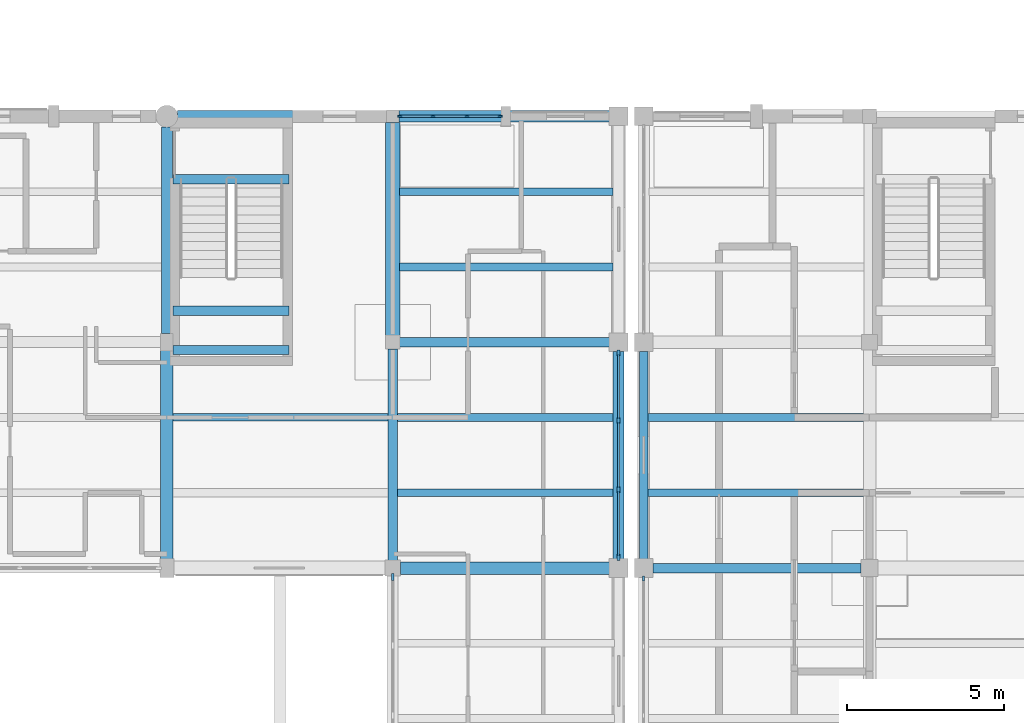
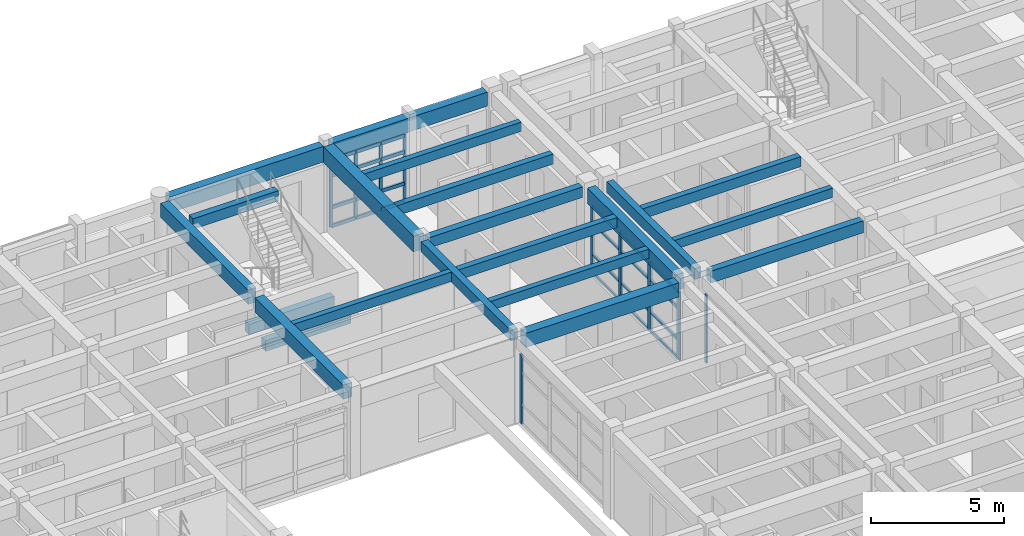
# One storey, part 41 of 110: 34 members, 21 beams, 4 elements without a shape of their own.
"""IFC4 building model written with IfcOpenShell, lengths in metres."""

from ifc_helpers import new_model, si_unit, direction, frame, origin, origin_2d, place, context, subcontext, project, spatial, rectangle, extrude, material, material_profile, profile_set, type_object, element, aggregate, save


model = new_model("IFC4")

# Units and contexts
model_context = context("Model", 3, precision=1e-05, world=origin(), true_north=direction((0.0, 1.0)))
body_context = subcontext(model_context, "Body", "Model", "MODEL_VIEW")
ifc_project = project(units=[si_unit("LENGTHUNIT", "METRE"), si_unit("AREAUNIT", "SQUARE_METRE"), si_unit("VOLUMEUNIT", "CUBIC_METRE"), si_unit("PLANEANGLEUNIT", "RADIAN"), si_unit("MASSUNIT", "GRAM", prefix="KILO")], contexts=[model_context])

# Site, building, storey
site_placement = place(None, origin())
site = spatial("IfcSite", under=ifc_project, at=site_placement, CompositionType="ELEMENT")
building_placement = place(site_placement, origin())
building = spatial("IfcBuilding", under=site, at=building_placement, Name="Steenspoor Specialist Clinic", CompositionType="ELEMENT")
storey_placement = place(building_placement, frame((0.0, 0.0, 4.800048828125)))
storey = spatial("IfcBuildingStorey", under=building, at=storey_placement, Name="L01", CompositionType="ELEMENT", Elevation=4.800048828125)

# Beams
ifc_material_1 = material(Name="Concrete C35/45", Category="concrete")
ifc_material_profile_1 = material_profile(ifc_material_1, rectangle(XDim=0.300048828125, YDim=0.47998046875, at=origin_2d()), Name="RC-BM-300X480")
ifc_profile_set_1 = profile_set([ifc_material_profile_1], Name="Concrete C35/45")
beam_type_1 = type_object("IfcBeamType", Name="BM-RC-300X480", PredefinedType="BEAM", material=ifc_profile_set_1)
for number, where, z_axis, x_axis, name in (
    (1, (103.0, 102.14990234375, 1.659912109375), (1.0, 0.0, 0.0), (0.0, 1.0, 0.0), "Stair Mid-Landing Bearer 1 ST-V4B L01"),
    (2, (103.0, 100.89990234375, 1.659912109375), (1.0, 0.0, 0.0), (0.0, 1.0, 0.0), "Stair Mid-Landing Bearer 2 ST-V4B L01"),
    (3, (103.0, 106.35009765625, 3.9599609375), (1.0, 0.0, 0.0), (0.0, 1.0, 0.0), "Stair Well Trimmer Beam ST-V4B L01"),
):
    element("IfcBeam", number, at=place(storey_placement, frame(where, z_axis=z_axis, x_axis=x_axis)), inside=storey, type_object=beam_type_1, Name=name, PredefinedType="BEAM", context=body_context, shape_type="SweptSolid", body=[
        extrude(rectangle(XDim=0.300048828125, YDim=0.47998046875, at=origin_2d()), origin(), (0.0, 0.0, 1.0), 3.699951171875),
    ])
beam_1_placement = place(storey_placement, frame((110.219970703125, 101.14990234375, 3.7099609375), z_axis=(1.0, 0.0, 0.0), x_axis=(0.0, 1.0, 0.0)))
element("IfcBeam", 4, at=beam_1_placement, inside=storey, type_object=beam_type_1, Name="BM-V4-L01-X0511", PredefinedType="BEAM", context=body_context, shape_type="SweptSolid", body=[
    extrude(rectangle(XDim=0.300048828125, YDim=0.47998046875, at=origin_2d()), origin(), (0.0, 0.0, 1.0), 6.68505859375),
])
beam_2_placement = place(storey_placement, frame((110.0, 94.195068359375, 3.7099609375), z_axis=(0.0, 1.0, 0.0), x_axis=(-1.0, 0.0, 0.0)))
element("IfcBeam", 5, at=beam_2_placement, inside=storey, type_object=beam_type_1, Name="BM-V4-L01-Y0565", PredefinedType="BEAM", context=body_context, shape_type="SweptSolid", body=[
    extrude(rectangle(XDim=0.300048828125, YDim=0.47998046875, at=origin_2d()), origin(), (0.0, 0.0, 1.0), 6.73486328125),
])
ifc_material_profile_2 = material_profile(ifc_material_1, rectangle(XDim=0.300048828125, YDim=0.550048828125, at=origin_2d()), Name="RC-BM-300X550")
ifc_profile_set_2 = profile_set([ifc_material_profile_2], Name="Concrete C35/45")
beam_type_2 = type_object("IfcBeamType", Name="BM-RC-300X550", PredefinedType="BEAM", material=ifc_profile_set_2)
beam_3_placement = place(storey_placement, frame((118.294921875, 93.949951171875, 3.675048828125), z_axis=(1.0, 0.0, 0.0), x_axis=(0.0, 1.0, 0.0)))
element("IfcBeam", 6, at=beam_3_placement, inside=storey, type_object=beam_type_2, Name="BM-V6-L01-X1498", PredefinedType="BEAM", context=body_context, shape_type="SweptSolid", body=[
    extrude(rectangle(XDim=0.300048828125, YDim=0.550048828125, at=origin_2d()), origin(), (0.0, 0.0, 1.0), 6.635009765625),
])
ifc_material_profile_3 = material_profile(ifc_material_1, rectangle(XDim=0.35009765625, YDim=0.64990234375, at=origin_2d()), Name="RC-BM-350X650")
ifc_profile_set_3 = profile_set([ifc_material_profile_3], Name="Concrete C35/45")
beam_type_3 = type_object("IfcBeamType", Name="BM-RC-350X650", PredefinedType="BEAM", material=ifc_profile_set_3)
beam_4_placement = place(storey_placement, frame((102.800048828125, 101.419921875, 3.625), z_axis=(0.0, 1.0, 0.0), x_axis=(-1.0, 0.0, 0.0)))
element("IfcBeam", 7, at=beam_4_placement, inside=storey, type_object=beam_type_3, Name="BM-V4-L01-Y0560", PredefinedType="BEAM", context=body_context, shape_type="SweptSolid", body=[
    extrude(rectangle(XDim=0.35009765625, YDim=0.64990234375, at=origin_2d()), origin(), (0.0, 0.0, 1.0), 6.5849609375),
])
ifc_material_profile_4 = material_profile(ifc_material_1, rectangle(XDim=0.39990234375, YDim=0.64990234375, at=origin_2d()), Name="RC-BM-400X650")
ifc_profile_set_4 = profile_set([ifc_material_profile_4], Name="Concrete C35/45")
beam_type_4 = type_object("IfcBeamType", Name="BM-RC-400X650", PredefinedType="BEAM", material=ifc_profile_set_4)
beam_5_placement = place(storey_placement, frame((110.2451171875, 93.949951171875, 3.625), z_axis=(1.0, 0.0, 0.0), x_axis=(0.0, 1.0, 0.0)))
element("IfcBeam", 8, at=beam_5_placement, inside=storey, type_object=beam_type_4, Name="BM-V4-L01-X0505", PredefinedType="BEAM", context=body_context, shape_type="SweptSolid", body=[
    extrude(rectangle(XDim=0.39990234375, YDim=0.64990234375, at=origin_2d()), origin(), (0.0, 0.0, 1.0), 6.659912109375),
])
beam_6_placement = place(storey_placement, frame((102.800048828125, 94.2451171875, 3.625), z_axis=(0.0, 1.0, 0.0), x_axis=(-1.0, 0.0, 0.0)))
element("IfcBeam", 9, at=beam_6_placement, inside=storey, type_object=beam_type_4, Name="BM-V4-L01-Y0559", PredefinedType="BEAM", context=body_context, shape_type="SweptSolid", body=[
    extrude(rectangle(XDim=0.39990234375, YDim=0.64990234375, at=origin_2d()), origin(), (0.0, 0.0, 1.0), 6.634765625),
])
ifc_material_profile_5 = material_profile(ifc_material_1, rectangle(XDim=0.449951171875, YDim=0.719970703125, at=origin_2d()), Name="RC-BM-450X720")
ifc_profile_set_5 = profile_set([ifc_material_profile_5], Name="Concrete C35/45")
beam_type_5 = type_object("IfcBeamType", Name="BM-RC-450X720", PredefinedType="BEAM", material=ifc_profile_set_5)
beam_7_placement = place(storey_placement, frame((110.0, 101.3701171875, 3.58984375), z_axis=(0.0, 1.0, 0.0), x_axis=(-1.0, 0.0, 0.0)))
element("IfcBeam", 10, at=beam_7_placement, inside=storey, type_object=beam_type_5, Name="BM-V4-L01-Y0566", PredefinedType="BEAM", context=body_context, shape_type="SweptSolid", body=[
    extrude(rectangle(XDim=0.449951171875, YDim=0.719970703125, at=origin_2d()), origin(), (0.0, 0.0, 1.0), 6.784912109375),
])

# Curtain wall, members
ifc_material_2 = material(Name="Thermally broken aluminium and low-emissivity glass", Category="aluminium")
curtain_wall_type_1 = type_object("IfcCurtainWallType", Name="CW-WLK-360X340", PredefinedType="USERDEFINED", material=ifc_material_2)
curtain_wall_1_placement = place(storey_placement, origin())
curtain_wall_1 = element("IfcCurtainWall", 11, at=curtain_wall_1_placement, inside=storey, type_object=curtain_wall_type_1, Name="Unitised Curtain Wall CW-V4-L01-070", ObjectType="UNITISED GLAZING", PredefinedType="USERDEFINED")
ifc_material_3 = material(Name="Thermally broken aluminium 6063-T6", Category="aluminium")
ifc_material_profile_6 = material_profile(ifc_material_3, rectangle(XDim=0.06005859375, YDim=0.135009765625, at=origin_2d()), Name="CWM-60X135")
ifc_profile_set_6 = profile_set([ifc_material_profile_6], Name="Thermally broken aluminium 6063-T6")
member_type_1 = type_object("IfcMemberType", Name="CW-MULL-60X135", PredefinedType="MULLION", material=ifc_profile_set_6)
member_1_placement = place(storey_placement, frame((110.22998046875, 108.35009765625, 0.0), z_axis=(0.0, 0.0, 1.0), x_axis=(0.0, 1.0, 0.0)))
member_1 = element("IfcMember", 12, at=member_1_placement, type_object=member_type_1, Name="CW-22 mullion 1", PredefinedType="MULLION", context=body_context, shape_type="SweptSolid", body=[
    extrude(rectangle(XDim=0.06005859375, YDim=0.135009765625, at=origin_2d()), origin(), (0.0, 0.0, 1.0), 3.1298828125),
])
member_2_placement = place(storey_placement, frame((111.283447265625, 108.35009765625, 0.0), z_axis=(0.0, 0.0, 1.0), x_axis=(0.0, 1.0, 0.0)))
member_2 = element("IfcMember", 13, at=member_2_placement, type_object=member_type_1, Name="CW-22 mullion 2", PredefinedType="MULLION", context=body_context, shape_type="SweptSolid", body=[
    extrude(rectangle(XDim=0.06005859375, YDim=0.135009765625, at=origin_2d()), origin(), (0.0, 0.0, 1.0), 3.1298828125),
])
member_3_placement = place(storey_placement, frame((112.36669921875, 108.35009765625, 0.0), z_axis=(0.0, 0.0, 1.0), x_axis=(0.0, 1.0, 0.0)))
member_3 = element("IfcMember", 14, at=member_3_placement, type_object=member_type_1, Name="CW-22 mullion 3", PredefinedType="MULLION", context=body_context, shape_type="SweptSolid", body=[
    extrude(rectangle(XDim=0.06005859375, YDim=0.135009765625, at=origin_2d()), origin(), (0.0, 0.0, 1.0), 3.1298828125),
])
member_4_placement = place(storey_placement, frame((113.419921875, 108.35009765625, 0.0), z_axis=(0.0, 0.0, 1.0), x_axis=(0.0, 1.0, 0.0)))
member_4 = element("IfcMember", 15, at=member_4_placement, type_object=member_type_1, Name="CW-22 mullion 4", PredefinedType="MULLION", context=body_context, shape_type="SweptSolid", body=[
    extrude(rectangle(XDim=0.06005859375, YDim=0.135009765625, at=origin_2d()), origin(), (0.0, 0.0, 1.0), 3.1298828125),
])

# Curtain wall, member
curtain_wall_type_2 = type_object("IfcCurtainWallType", Name="CW-TYP-660X355", PredefinedType="USERDEFINED", material=ifc_material_2)
curtain_wall_2_placement = place(storey_placement, origin())
curtain_wall_2 = element("IfcCurtainWall", 16, at=curtain_wall_2_placement, inside=storey, type_object=curtain_wall_type_2, Name="Unitised Curtain Wall CW-V6-L01-177", ObjectType="UNITISED GLAZING", PredefinedType="USERDEFINED")
ifc_material_profile_7 = material_profile(ifc_material_3, rectangle(XDim=0.06494140625, YDim=0.14990234375, at=origin_2d()), Name="CWM-65X150")
ifc_profile_set_7 = profile_set([ifc_material_profile_7], Name="Thermally broken aluminium 6063-T6")
member_type_2 = type_object("IfcMemberType", Name="CW-MULL-65X150", PredefinedType="MULLION", material=ifc_profile_set_7)
member_5_placement = place(storey_placement, frame((118.0, 93.617431640625, 0.0), z_axis=(0.0, 0.0, 1.0), x_axis=(-1.0, 0.0, 0.0)))
member_5 = element("IfcMember", 17, at=member_5_placement, type_object=member_type_2, Name="CW-09 mullion 4", PredefinedType="MULLION", context=body_context, shape_type="SweptSolid", body=[
    extrude(rectangle(XDim=0.06494140625, YDim=0.14990234375, at=origin_2d()), origin(), (0.0, 0.0, 1.0), 3.1298828125),
])
aggregate(curtain_wall_2, [member_5])

curtain_wall_type_3 = type_object("IfcCurtainWallType", Name="CW-L00-480X415", PredefinedType="USERDEFINED", material=ifc_material_2)
curtain_wall_3_placement = place(storey_placement, origin())
curtain_wall_3 = element("IfcCurtainWall", 18, at=curtain_wall_3_placement, inside=storey, type_object=curtain_wall_type_3, Name="Unitised Curtain Wall CW-V4-L01-078", ObjectType="UNITISED GLAZING", PredefinedType="USERDEFINED")
ifc_material_profile_8 = material_profile(ifc_material_3, rectangle(XDim=0.080078125, YDim=0.219970703125, at=origin_2d()), Name="CWM-80X220")
ifc_profile_set_8 = profile_set([ifc_material_profile_8], Name="Thermally broken aluminium 6063-T6")
member_type_3 = type_object("IfcMemberType", Name="CW-MULL-80X220", PredefinedType="MULLION", material=ifc_profile_set_8)
member_6_placement = place(storey_placement, frame((110.0, 93.659912109375, 0.0), z_axis=(0.0, 0.0, 1.0), x_axis=(-1.0, 0.0, 0.0)))
member_6 = element("IfcMember", 19, at=member_6_placement, type_object=member_type_3, Name="CW-06 mullion 4", PredefinedType="MULLION", context=body_context, shape_type="SweptSolid", body=[
    extrude(rectangle(XDim=0.080078125, YDim=0.219970703125, at=origin_2d()), origin(), (0.0, 0.0, 1.0), 3.1298828125),
])
aggregate(curtain_wall_3, [member_6])

# Curtain wall, members
curtain_wall_type_4 = type_object("IfcCurtainWallType", Name="CW-STR-220X355", PredefinedType="USERDEFINED", material=ifc_material_2)
curtain_wall_4_placement = place(storey_placement, origin())
curtain_wall_4 = element("IfcCurtainWall", 20, at=curtain_wall_4_placement, inside=storey, type_object=curtain_wall_type_4, Name="Unitised Curtain Wall CW-V4-L01-071", ObjectType="UNITISED GLAZING", PredefinedType="USERDEFINED")
ifc_material_profile_9 = material_profile(ifc_material_3, rectangle(XDim=0.090087890625, YDim=0.199951171875, at=origin_2d()), Name="CWM-90X200")
ifc_profile_set_9 = profile_set([ifc_material_profile_9], Name="Thermally broken aluminium 6063-T6")
member_type_4 = type_object("IfcMemberType", Name="CW-MULL-90X200", PredefinedType="MULLION", material=ifc_profile_set_9)
member_7_placement = place(storey_placement, frame((117.199951171875, 100.804931640625, 0.0), z_axis=(0.0, 0.0, 1.0), x_axis=(1.0, 0.0, 0.0)))
member_7 = element("IfcMember", 21, at=member_7_placement, type_object=member_type_4, Name="CW-23 mullion 1", PredefinedType="MULLION", context=body_context, shape_type="SweptSolid", body=[
    extrude(rectangle(XDim=0.090087890625, YDim=0.199951171875, at=origin_2d()), origin(), (0.0, 0.0, 1.0), 3.1298828125),
])
member_8_placement = place(storey_placement, frame((117.199951171875, 98.64990234375, 0.0), z_axis=(0.0, 0.0, 1.0), x_axis=(1.0, 0.0, 0.0)))
member_8 = element("IfcMember", 22, at=member_8_placement, type_object=member_type_4, Name="CW-23 mullion 2", PredefinedType="MULLION", context=body_context, shape_type="SweptSolid", body=[
    extrude(rectangle(XDim=0.090087890625, YDim=0.199951171875, at=origin_2d()), origin(), (0.0, 0.0, 1.0), 3.1298828125),
])
member_9_placement = place(storey_placement, frame((117.199951171875, 96.449951171875, 0.0), z_axis=(0.0, 0.0, 1.0), x_axis=(1.0, 0.0, 0.0)))
member_9 = element("IfcMember", 23, at=member_9_placement, type_object=member_type_4, Name="CW-23 mullion 3", PredefinedType="MULLION", context=body_context, shape_type="SweptSolid", body=[
    extrude(rectangle(XDim=0.090087890625, YDim=0.199951171875, at=origin_2d()), origin(), (0.0, 0.0, 1.0), 3.1298828125),
])
member_10_placement = place(storey_placement, frame((117.199951171875, 94.294921875, 0.0), z_axis=(0.0, 0.0, 1.0), x_axis=(1.0, 0.0, 0.0)))
member_10 = element("IfcMember", 24, at=member_10_placement, type_object=member_type_4, Name="CW-23 mullion 4", PredefinedType="MULLION", context=body_context, shape_type="SweptSolid", body=[
    extrude(rectangle(XDim=0.090087890625, YDim=0.199951171875, at=origin_2d()), origin(), (0.0, 0.0, 1.0), 3.1298828125),
])
ifc_material_profile_10 = material_profile(ifc_material_3, rectangle(XDim=0.070068359375, YDim=0.14501953125, at=origin_2d()), Name="CWT-70X145")
ifc_profile_set_10 = profile_set([ifc_material_profile_10], Name="Thermally broken aluminium 6063-T6")
member_type_5 = type_object("IfcMemberType", Name="CW-TRAN-70X145", PredefinedType="USERDEFINED", material=ifc_profile_set_10)
member_11_placement = place(storey_placement, frame((117.199951171875, 100.760009765625, 0.034912109375), z_axis=(0.0, -1.0, 0.0), x_axis=(1.0, 0.0, 0.0)))
member_11 = element("IfcMember", 25, at=member_11_placement, type_object=member_type_5, Name="CW-23 transom 1.1", ObjectType="TRANSOM", PredefinedType="USERDEFINED", context=body_context, shape_type="SweptSolid", body=[
    extrude(rectangle(XDim=0.070068359375, YDim=0.14501953125, at=origin_2d()), origin(), (0.0, 0.0, 1.0), 2.06494140625),
])
member_12_placement = place(storey_placement, frame((117.199951171875, 100.760009765625, 0.89990234375), z_axis=(0.0, -1.0, 0.0), x_axis=(1.0, 0.0, 0.0)))
member_12 = element("IfcMember", 26, at=member_12_placement, type_object=member_type_5, Name="CW-23 transom 1.2", ObjectType="TRANSOM", PredefinedType="USERDEFINED", context=body_context, shape_type="SweptSolid", body=[
    extrude(rectangle(XDim=0.070068359375, YDim=0.14501953125, at=origin_2d()), origin(), (0.0, 0.0, 1.0), 2.06494140625),
])
member_13_placement = place(storey_placement, frame((117.199951171875, 100.760009765625, 2.349853515625), z_axis=(0.0, -1.0, 0.0), x_axis=(1.0, 0.0, 0.0)))
member_13 = element("IfcMember", 27, at=member_13_placement, type_object=member_type_5, Name="CW-23 transom 1.3", ObjectType="TRANSOM", PredefinedType="USERDEFINED", context=body_context, shape_type="SweptSolid", body=[
    extrude(rectangle(XDim=0.070068359375, YDim=0.14501953125, at=origin_2d()), origin(), (0.0, 0.0, 1.0), 2.06494140625),
])
member_14_placement = place(storey_placement, frame((117.199951171875, 100.760009765625, 3.094970703125), z_axis=(0.0, -1.0, 0.0), x_axis=(1.0, 0.0, 0.0)))
member_14 = element("IfcMember", 28, at=member_14_placement, type_object=member_type_5, Name="CW-23 transom 1.4", ObjectType="TRANSOM", PredefinedType="USERDEFINED", context=body_context, shape_type="SweptSolid", body=[
    extrude(rectangle(XDim=0.070068359375, YDim=0.14501953125, at=origin_2d()), origin(), (0.0, 0.0, 1.0), 2.06494140625),
])
member_15_placement = place(storey_placement, frame((117.199951171875, 98.60498046875, 0.034912109375), z_axis=(0.0, -1.0, 0.0), x_axis=(1.0, 0.0, 0.0)))
member_15 = element("IfcMember", 29, at=member_15_placement, type_object=member_type_5, Name="CW-23 transom 2.1", ObjectType="TRANSOM", PredefinedType="USERDEFINED", context=body_context, shape_type="SweptSolid", body=[
    extrude(rectangle(XDim=0.070068359375, YDim=0.14501953125, at=origin_2d()), origin(), (0.0, 0.0, 1.0), 2.10986328125),
])
member_16_placement = place(storey_placement, frame((117.199951171875, 98.60498046875, 0.89990234375), z_axis=(0.0, -1.0, 0.0), x_axis=(1.0, 0.0, 0.0)))
member_16 = element("IfcMember", 30, at=member_16_placement, type_object=member_type_5, Name="CW-23 transom 2.2", ObjectType="TRANSOM", PredefinedType="USERDEFINED", context=body_context, shape_type="SweptSolid", body=[
    extrude(rectangle(XDim=0.070068359375, YDim=0.14501953125, at=origin_2d()), origin(), (0.0, 0.0, 1.0), 2.10986328125),
])
member_17_placement = place(storey_placement, frame((117.199951171875, 98.60498046875, 2.349853515625), z_axis=(0.0, -1.0, 0.0), x_axis=(1.0, 0.0, 0.0)))
member_17 = element("IfcMember", 31, at=member_17_placement, type_object=member_type_5, Name="CW-23 transom 2.3", ObjectType="TRANSOM", PredefinedType="USERDEFINED", context=body_context, shape_type="SweptSolid", body=[
    extrude(rectangle(XDim=0.070068359375, YDim=0.14501953125, at=origin_2d()), origin(), (0.0, 0.0, 1.0), 2.10986328125),
])
member_18_placement = place(storey_placement, frame((117.199951171875, 98.60498046875, 3.094970703125), z_axis=(0.0, -1.0, 0.0), x_axis=(1.0, 0.0, 0.0)))
member_18 = element("IfcMember", 32, at=member_18_placement, type_object=member_type_5, Name="CW-23 transom 2.4", ObjectType="TRANSOM", PredefinedType="USERDEFINED", context=body_context, shape_type="SweptSolid", body=[
    extrude(rectangle(XDim=0.070068359375, YDim=0.14501953125, at=origin_2d()), origin(), (0.0, 0.0, 1.0), 2.10986328125),
])
member_19_placement = place(storey_placement, frame((117.199951171875, 96.405029296875, 0.034912109375), z_axis=(0.0, -1.0, 0.0), x_axis=(1.0, 0.0, 0.0)))
member_19 = element("IfcMember", 33, at=member_19_placement, type_object=member_type_5, Name="CW-23 transom 3.1", ObjectType="TRANSOM", PredefinedType="USERDEFINED", context=body_context, shape_type="SweptSolid", body=[
    extrude(rectangle(XDim=0.070068359375, YDim=0.14501953125, at=origin_2d()), origin(), (0.0, 0.0, 1.0), 2.06494140625),
])
member_20_placement = place(storey_placement, frame((117.199951171875, 96.405029296875, 0.89990234375), z_axis=(0.0, -1.0, 0.0), x_axis=(1.0, 0.0, 0.0)))
member_20 = element("IfcMember", 34, at=member_20_placement, type_object=member_type_5, Name="CW-23 transom 3.2", ObjectType="TRANSOM", PredefinedType="USERDEFINED", context=body_context, shape_type="SweptSolid", body=[
    extrude(rectangle(XDim=0.070068359375, YDim=0.14501953125, at=origin_2d()), origin(), (0.0, 0.0, 1.0), 2.06494140625),
])
member_21_placement = place(storey_placement, frame((117.199951171875, 96.405029296875, 2.349853515625), z_axis=(0.0, -1.0, 0.0), x_axis=(1.0, 0.0, 0.0)))
member_21 = element("IfcMember", 35, at=member_21_placement, type_object=member_type_5, Name="CW-23 transom 3.3", ObjectType="TRANSOM", PredefinedType="USERDEFINED", context=body_context, shape_type="SweptSolid", body=[
    extrude(rectangle(XDim=0.070068359375, YDim=0.14501953125, at=origin_2d()), origin(), (0.0, 0.0, 1.0), 2.06494140625),
])
member_22_placement = place(storey_placement, frame((117.199951171875, 96.405029296875, 3.094970703125), z_axis=(0.0, -1.0, 0.0), x_axis=(1.0, 0.0, 0.0)))
member_22 = element("IfcMember", 36, at=member_22_placement, type_object=member_type_5, Name="CW-23 transom 3.4", ObjectType="TRANSOM", PredefinedType="USERDEFINED", context=body_context, shape_type="SweptSolid", body=[
    extrude(rectangle(XDim=0.070068359375, YDim=0.14501953125, at=origin_2d()), origin(), (0.0, 0.0, 1.0), 2.06494140625),
])
aggregate(curtain_wall_4, [member_7, member_8, member_9, member_10, member_11, member_12, member_13, member_14, member_15, member_16, member_17, member_18, member_19, member_20, member_21, member_22])

# Member
ifc_material_profile_11 = material_profile(ifc_material_3, rectangle(XDim=0.080078125, YDim=0.159912109375, at=origin_2d()), Name="CWT-80X160")
ifc_profile_set_11 = profile_set([ifc_material_profile_11], Name="Thermally broken aluminium 6063-T6")
member_type_6 = type_object("IfcMemberType", Name="CW-TRAN-80X160", PredefinedType="USERDEFINED", material=ifc_profile_set_11)
member_23_placement = place(storey_placement, frame((110.260009765625, 108.35009765625, 0.0400390625), z_axis=(1.0, 0.0, 0.0), x_axis=(0.0, 1.0, 0.0)))
member_23 = element("IfcMember", 37, at=member_23_placement, type_object=member_type_6, Name="CW-22 transom 1.1", ObjectType="TRANSOM", PredefinedType="USERDEFINED", context=body_context, shape_type="SweptSolid", body=[
    extrude(rectangle(XDim=0.080078125, YDim=0.159912109375, at=origin_2d()), origin(), (0.0, 0.0, 1.0), 0.993408203125),
])

member_24_placement = place(storey_placement, frame((110.260009765625, 108.35009765625, 0.89990234375), z_axis=(1.0, 0.0, 0.0), x_axis=(0.0, 1.0, 0.0)))
member_24 = element("IfcMember", 38, at=member_24_placement, type_object=member_type_6, Name="CW-22 transom 1.2", ObjectType="TRANSOM", PredefinedType="USERDEFINED", context=body_context, shape_type="SweptSolid", body=[
    extrude(rectangle(XDim=0.080078125, YDim=0.159912109375, at=origin_2d()), origin(), (0.0, 0.0, 1.0), 0.993408203125),
])

member_25_placement = place(storey_placement, frame((110.260009765625, 108.35009765625, 2.349853515625), z_axis=(1.0, 0.0, 0.0), x_axis=(0.0, 1.0, 0.0)))
member_25 = element("IfcMember", 39, at=member_25_placement, type_object=member_type_6, Name="CW-22 transom 1.3", ObjectType="TRANSOM", PredefinedType="USERDEFINED", context=body_context, shape_type="SweptSolid", body=[
    extrude(rectangle(XDim=0.080078125, YDim=0.159912109375, at=origin_2d()), origin(), (0.0, 0.0, 1.0), 0.993408203125),
])

member_26_placement = place(storey_placement, frame((110.260009765625, 108.35009765625, 3.08984375), z_axis=(1.0, 0.0, 0.0), x_axis=(0.0, 1.0, 0.0)))
member_26 = element("IfcMember", 40, at=member_26_placement, type_object=member_type_6, Name="CW-22 transom 1.4", ObjectType="TRANSOM", PredefinedType="USERDEFINED", context=body_context, shape_type="SweptSolid", body=[
    extrude(rectangle(XDim=0.080078125, YDim=0.159912109375, at=origin_2d()), origin(), (0.0, 0.0, 1.0), 0.993408203125),
])

member_27_placement = place(storey_placement, frame((111.313232421875, 108.35009765625, 0.0400390625), z_axis=(1.0, 0.0, 0.0), x_axis=(0.0, 1.0, 0.0)))
member_27 = element("IfcMember", 41, at=member_27_placement, type_object=member_type_6, Name="CW-22 transom 2.1", ObjectType="TRANSOM", PredefinedType="USERDEFINED", context=body_context, shape_type="SweptSolid", body=[
    extrude(rectangle(XDim=0.080078125, YDim=0.159912109375, at=origin_2d()), origin(), (0.0, 0.0, 1.0), 1.0234375),
])

member_28_placement = place(storey_placement, frame((111.313232421875, 108.35009765625, 0.89990234375), z_axis=(1.0, 0.0, 0.0), x_axis=(0.0, 1.0, 0.0)))
member_28 = element("IfcMember", 42, at=member_28_placement, type_object=member_type_6, Name="CW-22 transom 2.2", ObjectType="TRANSOM", PredefinedType="USERDEFINED", context=body_context, shape_type="SweptSolid", body=[
    extrude(rectangle(XDim=0.080078125, YDim=0.159912109375, at=origin_2d()), origin(), (0.0, 0.0, 1.0), 1.0234375),
])

member_29_placement = place(storey_placement, frame((111.313232421875, 108.35009765625, 2.349853515625), z_axis=(1.0, 0.0, 0.0), x_axis=(0.0, 1.0, 0.0)))
member_29 = element("IfcMember", 43, at=member_29_placement, type_object=member_type_6, Name="CW-22 transom 2.3", ObjectType="TRANSOM", PredefinedType="USERDEFINED", context=body_context, shape_type="SweptSolid", body=[
    extrude(rectangle(XDim=0.080078125, YDim=0.159912109375, at=origin_2d()), origin(), (0.0, 0.0, 1.0), 1.0234375),
])

member_30_placement = place(storey_placement, frame((111.313232421875, 108.35009765625, 3.08984375), z_axis=(1.0, 0.0, 0.0), x_axis=(0.0, 1.0, 0.0)))
member_30 = element("IfcMember", 44, at=member_30_placement, type_object=member_type_6, Name="CW-22 transom 2.4", ObjectType="TRANSOM", PredefinedType="USERDEFINED", context=body_context, shape_type="SweptSolid", body=[
    extrude(rectangle(XDim=0.080078125, YDim=0.159912109375, at=origin_2d()), origin(), (0.0, 0.0, 1.0), 1.0234375),
])

member_31_placement = place(storey_placement, frame((112.396728515625, 108.35009765625, 0.0400390625), z_axis=(1.0, 0.0, 0.0), x_axis=(0.0, 1.0, 0.0)))
member_31 = element("IfcMember", 45, at=member_31_placement, type_object=member_type_6, Name="CW-22 transom 3.1", ObjectType="TRANSOM", PredefinedType="USERDEFINED", context=body_context, shape_type="SweptSolid", body=[
    extrude(rectangle(XDim=0.080078125, YDim=0.159912109375, at=origin_2d()), origin(), (0.0, 0.0, 1.0), 0.9931640625),
])

member_32_placement = place(storey_placement, frame((112.396728515625, 108.35009765625, 0.89990234375), z_axis=(1.0, 0.0, 0.0), x_axis=(0.0, 1.0, 0.0)))
member_32 = element("IfcMember", 46, at=member_32_placement, type_object=member_type_6, Name="CW-22 transom 3.2", ObjectType="TRANSOM", PredefinedType="USERDEFINED", context=body_context, shape_type="SweptSolid", body=[
    extrude(rectangle(XDim=0.080078125, YDim=0.159912109375, at=origin_2d()), origin(), (0.0, 0.0, 1.0), 0.9931640625),
])

member_33_placement = place(storey_placement, frame((112.396728515625, 108.35009765625, 2.349853515625), z_axis=(1.0, 0.0, 0.0), x_axis=(0.0, 1.0, 0.0)))
member_33 = element("IfcMember", 47, at=member_33_placement, type_object=member_type_6, Name="CW-22 transom 3.3", ObjectType="TRANSOM", PredefinedType="USERDEFINED", context=body_context, shape_type="SweptSolid", body=[
    extrude(rectangle(XDim=0.080078125, YDim=0.159912109375, at=origin_2d()), origin(), (0.0, 0.0, 1.0), 0.9931640625),
])

member_34_placement = place(storey_placement, frame((112.396728515625, 108.35009765625, 3.08984375), z_axis=(1.0, 0.0, 0.0), x_axis=(0.0, 1.0, 0.0)))
member_34 = element("IfcMember", 48, at=member_34_placement, type_object=member_type_6, Name="CW-22 transom 3.4", ObjectType="TRANSOM", PredefinedType="USERDEFINED", context=body_context, shape_type="SweptSolid", body=[
    extrude(rectangle(XDim=0.080078125, YDim=0.159912109375, at=origin_2d()), origin(), (0.0, 0.0, 1.0), 0.9931640625),
])

aggregate(curtain_wall_1, [member_1, member_2, member_3, member_4, member_23, member_24, member_25, member_26, member_27, member_28, member_29, member_30, member_31, member_32, member_33, member_34])

# Beams
ifc_material_profile_12 = material_profile(ifc_material_1, rectangle(XDim=0.239990234375, YDim=0.419921875, at=origin_2d()), Name="RC-JT-240X420")
ifc_profile_set_12 = profile_set([ifc_material_profile_12], Name="Concrete C35/45")
beam_type_6 = type_object("IfcBeamType", Name="JT-RC-240X420", PredefinedType="JOIST", material=ifc_profile_set_12)
beam_8_placement = place(storey_placement, frame((102.9951171875, 98.75, 3.739990234375), z_axis=(1.0, 0.0, 0.0), x_axis=(0.0, 1.0, 0.0)))
element("IfcBeam", 49, at=beam_8_placement, inside=storey, type_object=beam_type_6, Name="JT-V4-L01-0629", PredefinedType="JOIST", context=body_context, shape_type="SweptSolid", body=[
    extrude(rectangle(XDim=0.239990234375, YDim=0.419921875, at=origin_2d()), origin(), (0.0, 0.0, 1.0), 6.85986328125),
])
beam_9_placement = place(storey_placement, frame((110.14501953125, 96.35009765625, 3.739990234375), z_axis=(1.0, 0.0, 0.0), x_axis=(0.0, 1.0, 0.0)))
element("IfcBeam", 50, at=beam_9_placement, inside=storey, type_object=beam_type_6, Name="JT-V4-L01-0638", PredefinedType="JOIST", context=body_context, shape_type="SweptSolid", body=[
    extrude(rectangle(XDim=0.239990234375, YDim=0.419921875, at=origin_2d()), origin(), (0.0, 0.0, 1.0), 6.8798828125),
])
beam_10_placement = place(storey_placement, frame((110.219970703125, 105.949951171875, 3.739990234375), z_axis=(1.0, 0.0, 0.0), x_axis=(0.0, 1.0, 0.0)))
element("IfcBeam", 51, at=beam_10_placement, inside=storey, type_object=beam_type_6, Name="JT-V4-L01-0641", PredefinedType="JOIST", context=body_context, shape_type="SweptSolid", body=[
    extrude(rectangle(XDim=0.239990234375, YDim=0.419921875, at=origin_2d()), origin(), (0.0, 0.0, 1.0), 6.804931640625),
])
beam_11_placement = place(storey_placement, frame((118.135009765625, 96.35009765625, 3.739990234375), z_axis=(1.0, 0.0, 0.0), x_axis=(0.0, 1.0, 0.0)))
element("IfcBeam", 52, at=beam_11_placement, inside=storey, type_object=beam_type_6, Name="JT-V6-L01-1552", PredefinedType="JOIST", context=body_context, shape_type="SweptSolid", body=[
    extrude(rectangle(XDim=0.239990234375, YDim=0.419921875, at=origin_2d()), origin(), (0.0, 0.0, 1.0), 6.869873046875),
])
ifc_material_profile_13 = material_profile(ifc_material_1, rectangle(XDim=0.260009765625, YDim=0.4599609375, at=origin_2d()), Name="RC-JT-260X460")
ifc_profile_set_13 = profile_set([ifc_material_profile_13], Name="Concrete C35/45")
beam_type_7 = type_object("IfcBeamType", Name="JT-RC-260X460", PredefinedType="JOIST", material=ifc_profile_set_13)
beam_12_placement = place(storey_placement, frame((110.14501953125, 98.75, 3.719970703125), z_axis=(1.0, 0.0, 0.0), x_axis=(0.0, 1.0, 0.0)))
element("IfcBeam", 53, at=beam_12_placement, inside=storey, type_object=beam_type_7, Name="JT-V4-L01-0639", PredefinedType="JOIST", context=body_context, shape_type="SweptSolid", body=[
    extrude(rectangle(XDim=0.260009765625, YDim=0.4599609375, at=origin_2d()), origin(), (0.0, 0.0, 1.0), 6.8798828125),
])
beam_13_placement = place(storey_placement, frame((110.219970703125, 103.550048828125, 3.719970703125), z_axis=(1.0, 0.0, 0.0), x_axis=(0.0, 1.0, 0.0)))
element("IfcBeam", 54, at=beam_13_placement, inside=storey, type_object=beam_type_7, Name="JT-V4-L01-0640", PredefinedType="JOIST", context=body_context, shape_type="SweptSolid", body=[
    extrude(rectangle(XDim=0.260009765625, YDim=0.4599609375, at=origin_2d()), origin(), (0.0, 0.0, 1.0), 6.804931640625),
])
beam_14_placement = place(storey_placement, frame((118.135009765625, 98.75, 3.719970703125), z_axis=(1.0, 0.0, 0.0), x_axis=(0.0, 1.0, 0.0)))
element("IfcBeam", 55, at=beam_14_placement, inside=storey, type_object=beam_type_7, Name="JT-V6-L01-1553", PredefinedType="JOIST", context=body_context, shape_type="SweptSolid", body=[
    extrude(rectangle(XDim=0.260009765625, YDim=0.4599609375, at=origin_2d()), origin(), (0.0, 0.0, 1.0), 6.869873046875),
])
ifc_material_profile_14 = material_profile(ifc_material_1, rectangle(XDim=0.280029296875, YDim=0.5, at=origin_2d()), Name="RC-SP-280X500")
ifc_profile_set_14 = profile_set([ifc_material_profile_14], Name="Concrete C35/45")
beam_type_8 = type_object("IfcBeamType", Name="SP-RC-280X500", PredefinedType="SPANDREL", material=ifc_profile_set_14)
beam_15_placement = place(storey_placement, frame((118.0, 94.2451171875, 3.699951171875), z_axis=(0.0, 1.0, 0.0), x_axis=(-1.0, 0.0, 0.0)))
element("IfcBeam", 56, at=beam_15_placement, inside=storey, type_object=beam_type_8, Name="BM-V6-L01-Y1514", PredefinedType="SPANDREL", context=body_context, shape_type="SweptSolid", body=[
    extrude(rectangle(XDim=0.280029296875, YDim=0.5, at=origin_2d()), origin(), (0.0, 0.0, 1.0), 6.60986328125),
])
ifc_material_profile_15 = material_profile(ifc_material_1, rectangle(XDim=0.360107421875, YDim=0.639892578125, at=origin_2d()), Name="RC-SP-360X640")
ifc_profile_set_15 = profile_set([ifc_material_profile_15], Name="Concrete C35/45")
beam_type_9 = type_object("IfcBeamType", Name="SP-RC-360X640", PredefinedType="SPANDREL", material=ifc_profile_set_15)
beam_16_placement = place(storey_placement, frame((110.195068359375, 108.35009765625, 3.6298828125), z_axis=(1.0, 0.0, 0.0), x_axis=(0.0, 1.0, 0.0)))
element("IfcBeam", 57, at=beam_16_placement, inside=storey, type_object=beam_type_9, Name="BM-V4-L01-X0520", PredefinedType="SPANDREL", context=body_context, shape_type="SweptSolid", body=[
    extrude(rectangle(XDim=0.360107421875, YDim=0.639892578125, at=origin_2d()), origin(), (0.0, 0.0, 1.0), 6.7099609375),
])
ifc_material_profile_16 = material_profile(ifc_material_1, rectangle(XDim=0.360107421875, YDim=0.719970703125, at=origin_2d()), Name="RC-SP-360X720")
ifc_profile_set_16 = profile_set([ifc_material_profile_16], Name="Concrete C35/45")
beam_type_10 = type_object("IfcBeamType", Name="SP-RC-360X720", PredefinedType="SPANDREL", material=ifc_profile_set_16)
beam_17_placement = place(storey_placement, frame((103.14501953125, 108.35009765625, 3.58984375), z_axis=(1.0, 0.0, 0.0), x_axis=(0.0, 1.0, 0.0)))
element("IfcBeam", 58, at=beam_17_placement, inside=storey, type_object=beam_type_10, Name="BM-V4-L01-X0519", PredefinedType="SPANDREL", context=body_context, shape_type="SweptSolid", body=[
    extrude(rectangle(XDim=0.360107421875, YDim=0.719970703125, at=origin_2d()), origin(), (0.0, 0.0, 1.0), 6.659912109375),
])
beam_18_placement = place(storey_placement, frame((117.199951171875, 94.2451171875, 3.58984375), z_axis=(0.0, 1.0, 0.0), x_axis=(-1.0, 0.0, 0.0)))
element("IfcBeam", 59, at=beam_18_placement, inside=storey, type_object=beam_type_10, Name="BM-V4-L01-Y0571", PredefinedType="SPANDREL", context=body_context, shape_type="SweptSolid", body=[
    extrude(rectangle(XDim=0.360107421875, YDim=0.719970703125, at=origin_2d()), origin(), (0.0, 0.0, 1.0), 6.60986328125),
])

save(model, "model.ifc")
